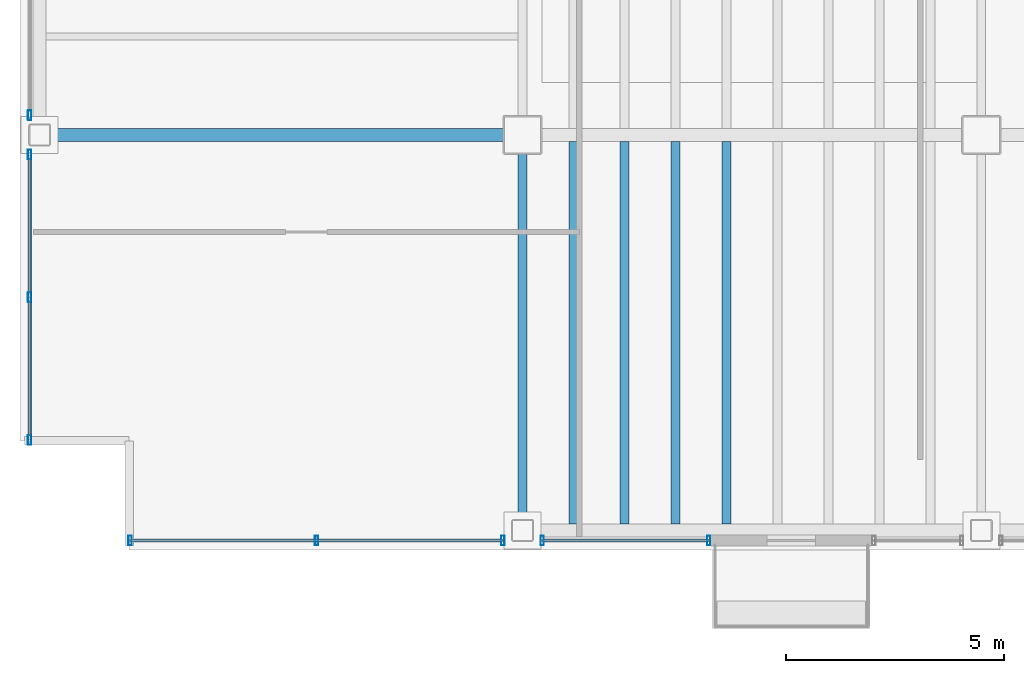
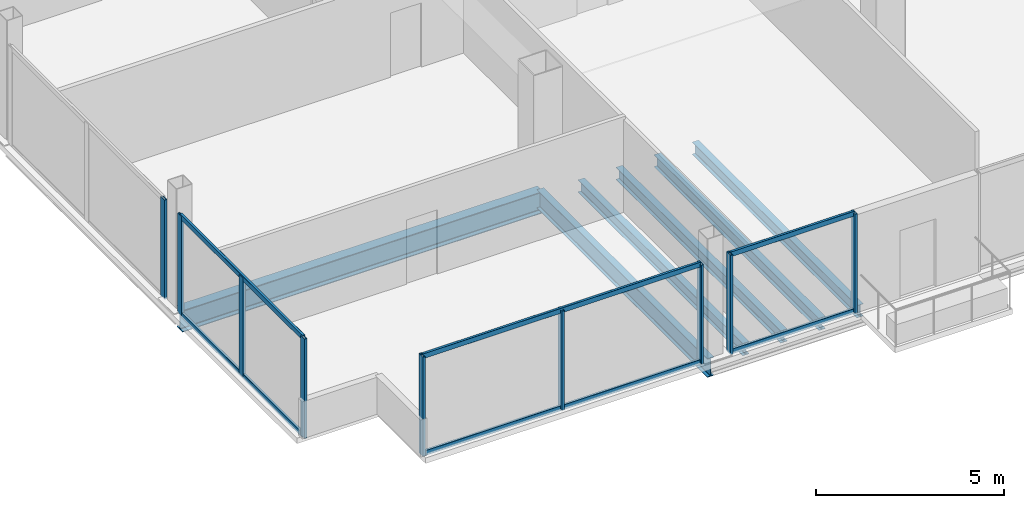
# One storey, part 2 of 20: 15 members, 6 beams, 4 elements without a shape of their own.
"""IFC4 building model written with IfcOpenShell, lengths in metres."""

from ifc_helpers import new_model, si_unit, direction, frame, origin, origin_2d, place, context, subcontext, project, spatial, hollow_rectangle, i_section, extrude, material, material_profile, profile_set, type_object, element, aggregate, save


model = new_model("IFC4")

# Units and contexts
model_context = context("Model", 3, precision=1e-05, world=origin(), true_north=direction((0.0, 1.0)))
body_context = subcontext(model_context, "Body", "Model", "MODEL_VIEW")
ifc_project = project(units=[si_unit("LENGTHUNIT", "METRE"), si_unit("AREAUNIT", "SQUARE_METRE"), si_unit("VOLUMEUNIT", "CUBIC_METRE"), si_unit("PLANEANGLEUNIT", "RADIAN"), si_unit("MASSUNIT", "GRAM", prefix="KILO")], contexts=[model_context])

# Site, building, storey
site_placement = place(None, origin())
site = spatial("IfcSite", under=ifc_project, at=site_placement, CompositionType="ELEMENT")
building_placement = place(site_placement, origin())
building = spatial("IfcBuilding", under=site, at=building_placement, Name="Noeulbin Bourse Tower", CompositionType="ELEMENT")
storey_placement = place(building_placement, frame((0.0, 0.0, 126.60009765625)))
storey = spatial("IfcBuildingStorey", under=building, at=storey_placement, Name="L31", CompositionType="ELEMENT", Elevation=126.60009765625)

# Beams
ifc_material_1 = material(Name="Steel S355", Category="steel")
ifc_material_profile_1 = material_profile(ifc_material_1, i_section(OverallWidth=0.199951171875, OverallDepth=0.60009765625, WebThickness=0.010986328125, FlangeThickness=0.01708984375, FilletRadius=0.02197265625, at=origin_2d()), Name="H-600x200x11x17", Category="LoadBearing")
ifc_profile_set_1 = profile_set([ifc_material_profile_1], Name="Steel S355")
beam_type_1 = type_object("IfcBeamType", Name="BM-GRD-600", PredefinedType="USERDEFINED", material=ifc_profile_set_1)
beam_1_placement = place(storey_placement, frame((13.5, 10.949951171875, -0.47998046875), z_axis=(0.0, 1.0, 0.0), x_axis=(-1.0, 0.0, 0.0)))
element("IfcBeam", 1, at=beam_1_placement, inside=storey, type_object=beam_type_1, Name="Tower Primary Girder NS L31-1.1", ObjectType="GIRDER", PredefinedType="USERDEFINED", context=body_context, shape_type="SweptSolid", body=[
    extrude(i_section(OverallWidth=0.199951171875, OverallDepth=0.60009765625, WebThickness=0.010986328125, FlangeThickness=0.01708984375, FilletRadius=0.02197265625, at=origin_2d()), origin(), (0.0, 0.0, 1.0), 9.050048828125),
])
ifc_material_profile_2 = material_profile(ifc_material_1, i_section(OverallWidth=0.300048828125, OverallDepth=0.699951171875, WebThickness=0.012939453125, FlangeThickness=0.02392578125, FilletRadius=0.02392578125, at=origin_2d()), Name="H-700x300x13x24", Category="LoadBearing")
ifc_profile_set_2 = profile_set([ifc_material_profile_2], Name="Steel S355")
beam_type_2 = type_object("IfcBeamType", Name="BM-GRD-700", PredefinedType="USERDEFINED", material=ifc_profile_set_2)
beam_2_placement = place(storey_placement, frame((2.449951171875, 20.0, -0.530029296875), z_axis=(1.0, 0.0, 0.0), x_axis=(0.0, 1.0, 0.0)))
element("IfcBeam", 2, at=beam_2_placement, inside=storey, type_object=beam_type_2, Name="Tower Primary Girder EW L31-1.1", ObjectType="GIRDER", PredefinedType="USERDEFINED", context=body_context, shape_type="SweptSolid", body=[
    extrude(i_section(OverallWidth=0.300048828125, OverallDepth=0.699951171875, WebThickness=0.012939453125, FlangeThickness=0.02392578125, FilletRadius=0.02392578125, at=origin_2d()), origin(), (0.0, 0.0, 1.0), 11.050048828125),
])
ifc_material_profile_3 = material_profile(ifc_material_1, i_section(OverallWidth=0.199951171875, OverallDepth=0.39990234375, WebThickness=0.008056640625, FlangeThickness=0.012939453125, FilletRadius=0.01611328125, at=origin_2d()), Name="H-400x200x8x13", Category="LoadBearing")
ifc_profile_set_3 = profile_set([ifc_material_profile_3], Name="Steel S355")
beam_type_3 = type_object("IfcBeamType", Name="BM-SEC-400", PredefinedType="BEAM", material=ifc_profile_set_3)
for number, where, z_axis, x_axis, name in (
    (3, (14.666748046875, 11.10009765625, -0.380126953125), (0.0, 1.0, 0.0), (-1.0, 0.0, 0.0), "Tower Composite Joist L31-01"),
    (4, (15.833251953125, 11.10009765625, -0.380126953125), (0.0, 1.0, 0.0), (-1.0, 0.0, 0.0), "Tower Composite Joist L31-03"),
    (5, (17.0, 11.10009765625, -0.380126953125), (0.0, 1.0, 0.0), (-1.0, 0.0, 0.0), "Tower Composite Joist L31-05"),
    (6, (18.166748046875, 11.10009765625, -0.380126953125), (0.0, 1.0, 0.0), (-1.0, 0.0, 0.0), "Tower Composite Joist L31-07"),
):
    element("IfcBeam", number, at=place(storey_placement, frame(where, z_axis=z_axis, x_axis=x_axis)), inside=storey, type_object=beam_type_3, Name=name, PredefinedType="BEAM", context=body_context, shape_type="SweptSolid", body=[
        extrude(i_section(OverallWidth=0.199951171875, OverallDepth=0.39990234375, WebThickness=0.008056640625, FlangeThickness=0.012939453125, FilletRadius=0.01611328125, at=origin_2d()), origin(), (0.0, 0.0, 1.0), 8.75),
    ])

# Curtain wall, members
ifc_material_2 = material(Name="Dark Tinted Triple Glazing", Category="glass")
curtain_wall_type = type_object("IfcCurtainWallType", Name="CW-SYS-3", PredefinedType="NOTDEFINED", material=ifc_material_2)
curtain_wall_1_placement = place(storey_placement, origin())
curtain_wall_1 = element("IfcCurtainWall", 7, at=curtain_wall_1_placement, inside=storey, type_object=curtain_wall_type, Name="Unitised Curtain Wall CW-L31-S1-S1", PredefinedType="NOTDEFINED")
ifc_material_3 = material(Name="Anodised Aluminium 6063-T6", Category="aluminium")
ifc_material_profile_4 = material_profile(ifc_material_3, hollow_rectangle(XDim=0.074951171875, YDim=0.219970703125, WallThickness=0.0048828125, InnerFilletRadius=0.00244140625, OuterFilletRadius=0.0048828125, at=origin_2d()), Name="ALU-MULL-75x220x5", Category="LoadBearing")
ifc_profile_set_4 = profile_set([ifc_material_profile_4], Name="Anodised Aluminium 6063-T6")
member_type_1 = type_object("IfcMemberType", Name="CW-SYS-3-MUL", PredefinedType="MULLION", material=ifc_profile_set_4)
member_1_placement = place(storey_placement, frame((4.52001953125, 10.719970703125, -0.02001953125), z_axis=(0.0, 0.0, 1.0), x_axis=(1.0, 0.0, 0.0)))
member_1 = element("IfcMember", 8, at=member_1_placement, type_object=member_type_1, Name="Curtain Wall Mullion CW-L31-S1-S1-M00", PredefinedType="MULLION", context=body_context, shape_type="SweptSolid", body=[
    extrude(hollow_rectangle(XDim=0.074951171875, YDim=0.219970703125, WallThickness=0.0048828125, InnerFilletRadius=0.00244140625, OuterFilletRadius=0.0048828125, at=origin_2d()), origin(), (0.0, 0.0, 1.0), 3.219970703125),
])
member_2_placement = place(storey_placement, frame((8.784912109375, 10.719970703125, -0.02001953125), z_axis=(0.0, 0.0, 1.0), x_axis=(1.0, 0.0, 0.0)))
member_2 = element("IfcMember", 9, at=member_2_placement, type_object=member_type_1, Name="Curtain Wall Mullion CW-L31-S1-S1-M01", PredefinedType="MULLION", context=body_context, shape_type="SweptSolid", body=[
    extrude(hollow_rectangle(XDim=0.074951171875, YDim=0.219970703125, WallThickness=0.0048828125, InnerFilletRadius=0.00244140625, OuterFilletRadius=0.0048828125, at=origin_2d()), origin(), (0.0, 0.0, 1.0), 3.219970703125),
])
member_3_placement = place(storey_placement, frame((13.050048828125, 10.719970703125, -0.02001953125), z_axis=(0.0, 0.0, 1.0), x_axis=(1.0, 0.0, 0.0)))
member_3 = element("IfcMember", 10, at=member_3_placement, type_object=member_type_1, Name="Curtain Wall Mullion CW-L31-S1-S1-M02", PredefinedType="MULLION", context=body_context, shape_type="SweptSolid", body=[
    extrude(hollow_rectangle(XDim=0.074951171875, YDim=0.219970703125, WallThickness=0.0048828125, InnerFilletRadius=0.00244140625, OuterFilletRadius=0.0048828125, at=origin_2d()), origin(), (0.0, 0.0, 1.0), 3.219970703125),
])

curtain_wall_2_placement = place(storey_placement, origin())
curtain_wall_2 = element("IfcCurtainWall", 11, at=curtain_wall_2_placement, inside=storey, type_object=curtain_wall_type, Name="Unitised Curtain Wall CW-L31-S1-S2", PredefinedType="NOTDEFINED")
member_4_placement = place(storey_placement, frame((13.949951171875, 10.719970703125, -0.02001953125), z_axis=(0.0, 0.0, 1.0), x_axis=(1.0, 0.0, 0.0)))
member_4 = element("IfcMember", 12, at=member_4_placement, type_object=member_type_1, Name="Curtain Wall Mullion CW-L31-S1-S2-M00", PredefinedType="MULLION", context=body_context, shape_type="SweptSolid", body=[
    extrude(hollow_rectangle(XDim=0.074951171875, YDim=0.219970703125, WallThickness=0.0048828125, InnerFilletRadius=0.00244140625, OuterFilletRadius=0.0048828125, at=origin_2d()), origin(), (0.0, 0.0, 1.0), 3.219970703125),
])
member_5_placement = place(storey_placement, frame((17.760009765625, 10.719970703125, -0.02001953125), z_axis=(0.0, 0.0, 1.0), x_axis=(1.0, 0.0, 0.0)))
member_5 = element("IfcMember", 13, at=member_5_placement, type_object=member_type_1, Name="Curtain Wall Mullion CW-L31-S1-S2-M01", PredefinedType="MULLION", context=body_context, shape_type="SweptSolid", body=[
    extrude(hollow_rectangle(XDim=0.074951171875, YDim=0.219970703125, WallThickness=0.0048828125, InnerFilletRadius=0.00244140625, OuterFilletRadius=0.0048828125, at=origin_2d()), origin(), (0.0, 0.0, 1.0), 3.219970703125),
])

curtain_wall_3_placement = place(storey_placement, origin())
curtain_wall_3 = element("IfcCurtainWall", 14, at=curtain_wall_3_placement, inside=storey, type_object=curtain_wall_type, Name="Unitised Curtain Wall CW-L31-W-S1", PredefinedType="NOTDEFINED")
member_6_placement = place(storey_placement, frame((2.219970703125, 13.02001953125, -0.02001953125), z_axis=(0.0, 0.0, 1.0), x_axis=(1.0, 0.0, 0.0)))
member_6 = element("IfcMember", 15, at=member_6_placement, type_object=member_type_1, Name="Curtain Wall Mullion CW-L31-W-S1-M00", PredefinedType="MULLION", context=body_context, shape_type="SweptSolid", body=[
    extrude(hollow_rectangle(XDim=0.074951171875, YDim=0.219970703125, WallThickness=0.0048828125, InnerFilletRadius=0.00244140625, OuterFilletRadius=0.0048828125, at=origin_2d()), origin(), (0.0, 0.0, 1.0), 3.219970703125),
])
member_7_placement = place(storey_placement, frame((2.219970703125, 16.284912109375, -0.02001953125), z_axis=(0.0, 0.0, 1.0), x_axis=(1.0, 0.0, 0.0)))
member_7 = element("IfcMember", 16, at=member_7_placement, type_object=member_type_1, Name="Curtain Wall Mullion CW-L31-W-S1-M01", PredefinedType="MULLION", context=body_context, shape_type="SweptSolid", body=[
    extrude(hollow_rectangle(XDim=0.074951171875, YDim=0.219970703125, WallThickness=0.0048828125, InnerFilletRadius=0.00244140625, OuterFilletRadius=0.0048828125, at=origin_2d()), origin(), (0.0, 0.0, 1.0), 3.219970703125),
])
member_8_placement = place(storey_placement, frame((2.219970703125, 19.550048828125, -0.02001953125), z_axis=(0.0, 0.0, 1.0), x_axis=(1.0, 0.0, 0.0)))
member_8 = element("IfcMember", 17, at=member_8_placement, type_object=member_type_1, Name="Curtain Wall Mullion CW-L31-W-S1-M02", PredefinedType="MULLION", context=body_context, shape_type="SweptSolid", body=[
    extrude(hollow_rectangle(XDim=0.074951171875, YDim=0.219970703125, WallThickness=0.0048828125, InnerFilletRadius=0.00244140625, OuterFilletRadius=0.0048828125, at=origin_2d()), origin(), (0.0, 0.0, 1.0), 3.219970703125),
])

# Curtain wall, member
curtain_wall_4_placement = place(storey_placement, origin())
curtain_wall_4 = element("IfcCurtainWall", 18, at=curtain_wall_4_placement, inside=storey, type_object=curtain_wall_type, Name="Unitised Curtain Wall CW-L31-W-S2", PredefinedType="NOTDEFINED")
member_9_placement = place(storey_placement, frame((2.219970703125, 20.449951171875, -0.02001953125), z_axis=(0.0, 0.0, 1.0), x_axis=(1.0, 0.0, 0.0)))
member_9 = element("IfcMember", 19, at=member_9_placement, type_object=member_type_1, Name="Curtain Wall Mullion CW-L31-W-S2-M00", PredefinedType="MULLION", context=body_context, shape_type="SweptSolid", body=[
    extrude(hollow_rectangle(XDim=0.074951171875, YDim=0.219970703125, WallThickness=0.0048828125, InnerFilletRadius=0.00244140625, OuterFilletRadius=0.0048828125, at=origin_2d()), origin(), (0.0, 0.0, 1.0), 3.219970703125),
])
aggregate(curtain_wall_4, [member_9])

# Member
ifc_material_profile_5 = material_profile(ifc_material_3, hollow_rectangle(XDim=0.074951171875, YDim=0.159912109375, WallThickness=0.0048828125, InnerFilletRadius=0.00244140625, OuterFilletRadius=0.0048828125, at=origin_2d()), Name="ALU-TRAN-75x160x5", Category="LoadBearing")
ifc_profile_set_5 = profile_set([ifc_material_profile_5], Name="Anodised Aluminium 6063-T6")
member_type_2 = type_object("IfcMemberType", Name="CW-SYS-3-TRN", PredefinedType="USERDEFINED", material=ifc_profile_set_5)
member_10_placement = place(storey_placement, frame((4.530029296875, 10.719970703125, 0.010009765625), z_axis=(1.0, 0.0, 0.0), x_axis=(0.0, 1.0, 0.0)))
member_10 = element("IfcMember", 20, at=member_10_placement, type_object=member_type_2, Name="Curtain Wall Transom CW-L31-S1-S1-T00", ObjectType="TRANSOM", PredefinedType="USERDEFINED", context=body_context, shape_type="SweptSolid", body=[
    extrude(hollow_rectangle(XDim=0.074951171875, YDim=0.159912109375, WallThickness=0.0048828125, InnerFilletRadius=0.00244140625, OuterFilletRadius=0.0048828125, at=origin_2d()), origin(), (0.0, 0.0, 1.0), 8.510009765625),
])

member_11_placement = place(storey_placement, frame((4.530029296875, 10.719970703125, 3.169921875), z_axis=(1.0, 0.0, 0.0), x_axis=(0.0, 1.0, 0.0)))
member_11 = element("IfcMember", 21, at=member_11_placement, type_object=member_type_2, Name="Curtain Wall Transom CW-L31-S1-S1-T01", ObjectType="TRANSOM", PredefinedType="USERDEFINED", context=body_context, shape_type="SweptSolid", body=[
    extrude(hollow_rectangle(XDim=0.074951171875, YDim=0.159912109375, WallThickness=0.0048828125, InnerFilletRadius=0.00244140625, OuterFilletRadius=0.0048828125, at=origin_2d()), origin(), (0.0, 0.0, 1.0), 8.510009765625),
])

aggregate(curtain_wall_1, [member_1, member_2, member_3, member_10, member_11])

member_12_placement = place(storey_placement, frame((13.9599609375, 10.719970703125, 0.010009765625), z_axis=(1.0, 0.0, 0.0), x_axis=(0.0, 1.0, 0.0)))
member_12 = element("IfcMember", 22, at=member_12_placement, type_object=member_type_2, Name="Curtain Wall Transom CW-L31-S1-S2-T00", ObjectType="TRANSOM", PredefinedType="USERDEFINED", context=body_context, shape_type="SweptSolid", body=[
    extrude(hollow_rectangle(XDim=0.074951171875, YDim=0.159912109375, WallThickness=0.0048828125, InnerFilletRadius=0.00244140625, OuterFilletRadius=0.0048828125, at=origin_2d()), origin(), (0.0, 0.0, 1.0), 3.7900390625),
])

member_13_placement = place(storey_placement, frame((13.9599609375, 10.719970703125, 3.169921875), z_axis=(1.0, 0.0, 0.0), x_axis=(0.0, 1.0, 0.0)))
member_13 = element("IfcMember", 23, at=member_13_placement, type_object=member_type_2, Name="Curtain Wall Transom CW-L31-S1-S2-T01", ObjectType="TRANSOM", PredefinedType="USERDEFINED", context=body_context, shape_type="SweptSolid", body=[
    extrude(hollow_rectangle(XDim=0.074951171875, YDim=0.159912109375, WallThickness=0.0048828125, InnerFilletRadius=0.00244140625, OuterFilletRadius=0.0048828125, at=origin_2d()), origin(), (0.0, 0.0, 1.0), 3.7900390625),
])

aggregate(curtain_wall_2, [member_4, member_5, member_12, member_13])

member_14_placement = place(storey_placement, frame((2.219970703125, 13.030029296875, 0.010009765625), z_axis=(0.0, 1.0, 0.0), x_axis=(-1.0, 0.0, 0.0)))
member_14 = element("IfcMember", 24, at=member_14_placement, type_object=member_type_2, Name="Curtain Wall Transom CW-L31-W-S1-T00", ObjectType="TRANSOM", PredefinedType="USERDEFINED", context=body_context, shape_type="SweptSolid", body=[
    extrude(hollow_rectangle(XDim=0.074951171875, YDim=0.159912109375, WallThickness=0.0048828125, InnerFilletRadius=0.00244140625, OuterFilletRadius=0.0048828125, at=origin_2d()), origin(), (0.0, 0.0, 1.0), 6.510009765625),
])

member_15_placement = place(storey_placement, frame((2.219970703125, 13.030029296875, 3.169921875), z_axis=(0.0, 1.0, 0.0), x_axis=(-1.0, 0.0, 0.0)))
member_15 = element("IfcMember", 25, at=member_15_placement, type_object=member_type_2, Name="Curtain Wall Transom CW-L31-W-S1-T01", ObjectType="TRANSOM", PredefinedType="USERDEFINED", context=body_context, shape_type="SweptSolid", body=[
    extrude(hollow_rectangle(XDim=0.074951171875, YDim=0.159912109375, WallThickness=0.0048828125, InnerFilletRadius=0.00244140625, OuterFilletRadius=0.0048828125, at=origin_2d()), origin(), (0.0, 0.0, 1.0), 6.510009765625),
])

aggregate(curtain_wall_3, [member_6, member_7, member_8, member_14, member_15])

save(model, "model.ifc")
